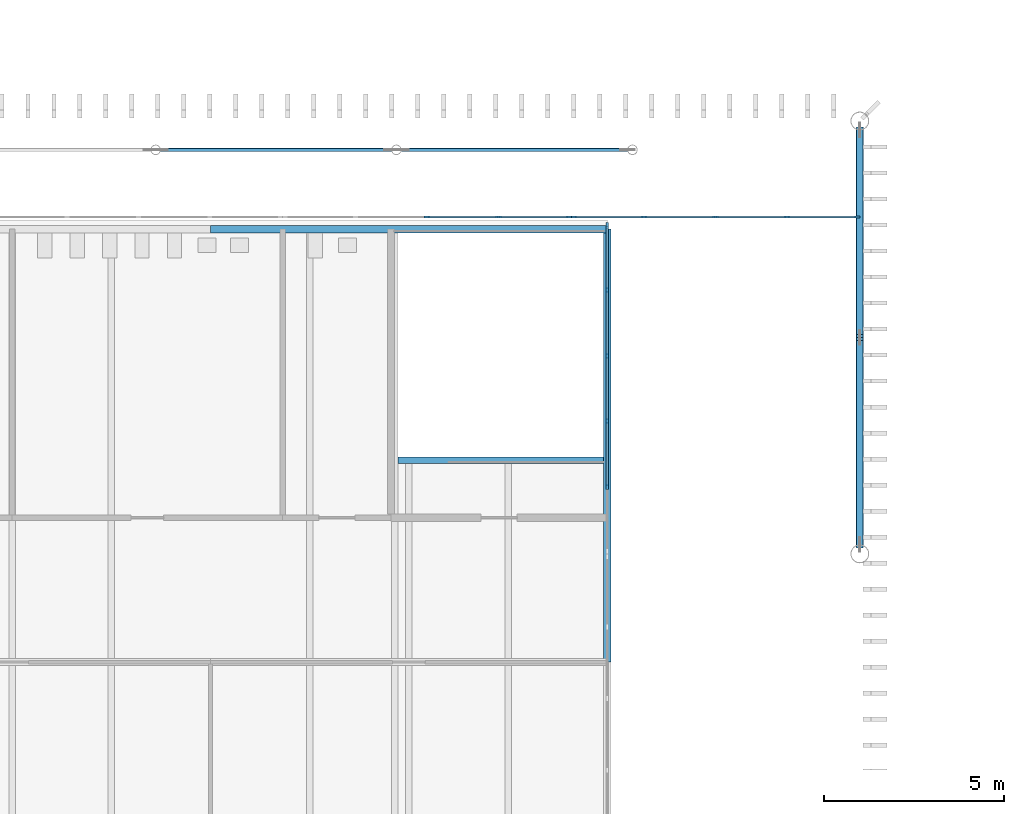
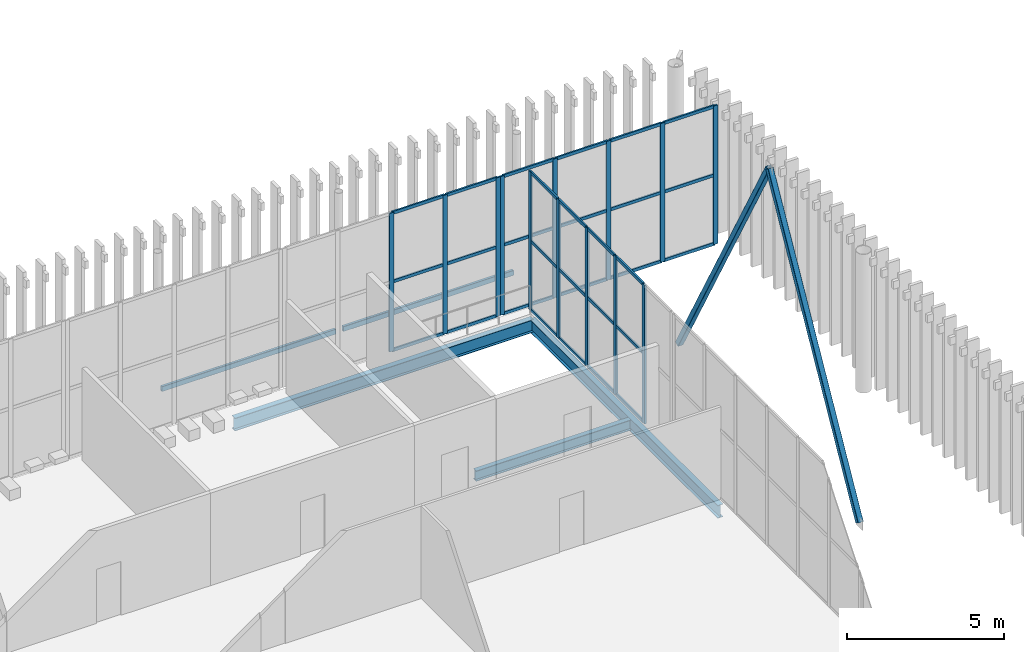
# One storey, part 75 of 170: 47 members, 3 beams, 3 elements without a shape of their own.
"""IFC4 building model written with IfcOpenShell, lengths in metres."""

from ifc_helpers import new_model, si_unit, direction, frame, origin, origin_2d, place, context, subcontext, project, spatial, rectangle, hollow_rectangle, i_section, extrude, material, layer, layer_set, material_profile, profile_set, type_object, element, aggregate, save


model = new_model("IFC4")

# Units and contexts
model_context = context("Model", 3, precision=1e-05, world=origin(), true_north=direction((0.0, 1.0)))
body_context = subcontext(model_context, "Body", "Model", "MODEL_VIEW")
ifc_project = project(units=[si_unit("LENGTHUNIT", "METRE"), si_unit("AREAUNIT", "SQUARE_METRE"), si_unit("VOLUMEUNIT", "CUBIC_METRE"), si_unit("PLANEANGLEUNIT", "RADIAN"), si_unit("MASSUNIT", "GRAM", prefix="KILO")], contexts=[model_context])

# Site, building, storey
site_placement = place(None, origin())
site = spatial("IfcSite", under=ifc_project, at=site_placement, CompositionType="ELEMENT")
building_placement = place(site_placement, origin())
building = spatial("IfcBuilding", under=site, at=building_placement, Name="Ravi Spectrum Wholesale Market", CompositionType="ELEMENT")
storey_placement = place(building_placement, frame((0.0, 0.0, 5.39990234375)))
storey = spatial("IfcBuildingStorey", under=building, at=storey_placement, Name="L01", CompositionType="ELEMENT", Elevation=5.39990234375)

# Beams
ifc_material_1 = material(Name="Steel S355", Category="steel")
ifc_material_profile_1 = material_profile(ifc_material_1, i_section(OverallWidth=0.179931640625, OverallDepth=0.39990234375, WebThickness=0.008544921875, FlangeThickness=0.013427734375, at=origin_2d()))
ifc_profile_set_1 = profile_set([ifc_material_profile_1], Name="Steel S355")
beam_type_1 = type_object("IfcBeamType", Name="IPE 400 beam", PredefinedType="BEAM", material=ifc_profile_set_1)
beam_1_placement = place(storey_placement, frame((97.18994140625, 188.60009765625, -0.449951171875), z_axis=(1.0, 0.0, 0.0), x_axis=(0.0, 1.0, 0.0)))
element("IfcBeam", 1, at=beam_1_placement, inside=storey, type_object=beam_type_1, Name="H1-BM-L01-073", PredefinedType="BEAM", context=body_context, shape_type="SweptSolid", body=[
    extrude(i_section(OverallWidth=0.179931640625, OverallDepth=0.39990234375, WebThickness=0.008544921875, FlangeThickness=0.013427734375, at=origin_2d()), origin(), (0.0, 0.0, 1.0), 5.7099609375),
])
ifc_material_2 = material(Name="Steel S355", Category="steel")
ifc_material_profile_2 = material_profile(ifc_material_2, i_section(OverallWidth=0.199951171875, OverallDepth=0.5, WebThickness=0.01025390625, FlangeThickness=0.01611328125, at=origin_2d()))
ifc_profile_set_2 = profile_set([ifc_material_profile_2], Name="Steel S355")
beam_type_2 = type_object("IfcBeamType", Name="IPE 500 girder", PredefinedType="BEAM", material=ifc_profile_set_2)
beam_2_placement = place(storey_placement, frame((92.0, 195.0, -0.5), z_axis=(1.0, 0.0, 0.0), x_axis=(0.0, 1.0, 0.0)))
element("IfcBeam", 2, at=beam_2_placement, inside=storey, type_object=beam_type_2, Name="H1-BM-L01-018", PredefinedType="BEAM", context=body_context, shape_type="SweptSolid", body=[
    extrude(i_section(OverallWidth=0.199951171875, OverallDepth=0.5, WebThickness=0.01025390625, FlangeThickness=0.01611328125, at=origin_2d()), origin(), (0.0, 0.0, 1.0), 11.0),
])
beam_3_placement = place(storey_placement, frame((103.0, 183.0, -0.5), z_axis=(0.0, 1.0, 0.0), x_axis=(-1.0, 0.0, 0.0)))
element("IfcBeam", 3, at=beam_3_placement, inside=storey, type_object=beam_type_2, Name="H1-BM-L01-022", PredefinedType="BEAM", context=body_context, shape_type="SweptSolid", body=[
    extrude(i_section(OverallWidth=0.199951171875, OverallDepth=0.5, WebThickness=0.01025390625, FlangeThickness=0.01611328125, at=origin_2d()), origin(), (0.0, 0.0, 1.0), 12.0),
])

# Curtain wall, members
ifc_material_3 = material(Name="Aluminium 6063-T6", Category="aluminium")
ifc_layer = layer(ifc_material_3, 0.14990234375)
ifc_layer_set = layer_set([ifc_layer], Name="Aluminium 6063-T6")
curtain_wall_type = type_object("IfcCurtainWallType", Name="Curtain wall 150", PredefinedType="NOTDEFINED", material=ifc_layer_set)
curtain_wall_1_placement = place(storey_placement, origin())
curtain_wall_1 = element("IfcCurtainWall", 4, at=curtain_wall_1_placement, inside=storey, type_object=curtain_wall_type, Name="H1-CW-L01-028", PredefinedType="NOTDEFINED")
ifc_material_4 = material(Name="Aluminium 6063-T6", Category="aluminium")
ifc_material_profile_3 = material_profile(ifc_material_4, rectangle(XDim=0.06005859375, YDim=0.159912109375, at=origin_2d()))
ifc_profile_set_3 = profile_set([ifc_material_profile_3], Name="Aluminium 6063-T6")
member_type_1 = type_object("IfcMemberType", Name="Mullion 60 x 160", PredefinedType="MULLION", material=ifc_profile_set_3)
member_1_placement = place(storey_placement, frame((103.0, 187.85791015625, 0.0), z_axis=(0.0, 0.0, 1.0), x_axis=(-1.0, 0.0, 0.0)))
member_1 = element("IfcMember", 5, at=member_1_placement, type_object=member_type_1, Name="H1-CW-L01-028 mullion 2", PredefinedType="MULLION", context=body_context, shape_type="SweptSolid", body=[
    extrude(rectangle(XDim=0.06005859375, YDim=0.159912109375, at=origin_2d()), origin(), (0.0, 0.0, 1.0), 5.400146484375),
])
member_2_placement = place(storey_placement, frame((103.0, 189.676025390625, 0.0), z_axis=(0.0, 0.0, 1.0), x_axis=(-1.0, 0.0, 0.0)))
member_2 = element("IfcMember", 6, at=member_2_placement, type_object=member_type_1, Name="H1-CW-L01-028 mullion 3", PredefinedType="MULLION", context=body_context, shape_type="SweptSolid", body=[
    extrude(rectangle(XDim=0.06005859375, YDim=0.159912109375, at=origin_2d()), origin(), (0.0, 0.0, 1.0), 5.400146484375),
])
member_3_placement = place(storey_placement, frame((103.0, 191.493896484375, 0.0), z_axis=(0.0, 0.0, 1.0), x_axis=(-1.0, 0.0, 0.0)))
member_3 = element("IfcMember", 7, at=member_3_placement, type_object=member_type_1, Name="H1-CW-L01-028 mullion 4", PredefinedType="MULLION", context=body_context, shape_type="SweptSolid", body=[
    extrude(rectangle(XDim=0.06005859375, YDim=0.159912109375, at=origin_2d()), origin(), (0.0, 0.0, 1.0), 5.400146484375),
])
member_4_placement = place(storey_placement, frame((103.0, 193.31201171875, 0.0), z_axis=(0.0, 0.0, 1.0), x_axis=(-1.0, 0.0, 0.0)))
member_4 = element("IfcMember", 8, at=member_4_placement, type_object=member_type_1, Name="H1-CW-L01-028 mullion 5", PredefinedType="MULLION", context=body_context, shape_type="SweptSolid", body=[
    extrude(rectangle(XDim=0.06005859375, YDim=0.159912109375, at=origin_2d()), origin(), (0.0, 0.0, 1.0), 5.400146484375),
])
member_5_placement = place(storey_placement, frame((103.0, 195.10009765625, 0.0), z_axis=(0.0, 0.0, 1.0), x_axis=(-1.0, 0.0, 0.0)))
member_5 = element("IfcMember", 9, at=member_5_placement, type_object=member_type_1, Name="H1-CW-L01-028 mullion 6", PredefinedType="MULLION", context=body_context, shape_type="SweptSolid", body=[
    extrude(rectangle(XDim=0.06005859375, YDim=0.159912109375, at=origin_2d()), origin(), (0.0, 0.0, 1.0), 5.400146484375),
])

curtain_wall_2_placement = place(storey_placement, origin())
curtain_wall_2 = element("IfcCurtainWall", 10, at=curtain_wall_2_placement, inside=storey, type_object=curtain_wall_type, Name="H1-CW-L01-061", PredefinedType="NOTDEFINED")
member_6_placement = place(storey_placement, frame((98.0, 195.340087890625, 0.0), z_axis=(0.0, 0.0, 1.0), x_axis=(0.0, 1.0, 0.0)))
member_6 = element("IfcMember", 11, at=member_6_placement, type_object=member_type_1, Name="H1-CW-L01-061 mullion 3", PredefinedType="MULLION", context=body_context, shape_type="SweptSolid", body=[
    extrude(rectangle(XDim=0.06005859375, YDim=0.159912109375, at=origin_2d()), origin(), (0.0, 0.0, 1.0), 5.400146484375),
])
member_7_placement = place(storey_placement, frame((99.97998046875, 195.340087890625, 0.0), z_axis=(0.0, 0.0, 1.0), x_axis=(0.0, 1.0, 0.0)))
member_7 = element("IfcMember", 12, at=member_7_placement, type_object=member_type_1, Name="H1-CW-L01-061 mullion 4", PredefinedType="MULLION", context=body_context, shape_type="SweptSolid", body=[
    extrude(rectangle(XDim=0.06005859375, YDim=0.159912109375, at=origin_2d()), origin(), (0.0, 0.0, 1.0), 5.400146484375),
])
member_8_placement = place(storey_placement, frame((101.929931640625, 195.340087890625, 0.0), z_axis=(0.0, 0.0, 1.0), x_axis=(0.0, 1.0, 0.0)))
member_8 = element("IfcMember", 13, at=member_8_placement, type_object=member_type_1, Name="H1-CW-L01-061 mullion 5", PredefinedType="MULLION", context=body_context, shape_type="SweptSolid", body=[
    extrude(rectangle(XDim=0.06005859375, YDim=0.159912109375, at=origin_2d()), origin(), (0.0, 0.0, 1.0), 5.400146484375),
])

curtain_wall_3_placement = place(storey_placement, origin())
curtain_wall_3 = element("IfcCurtainWall", 14, at=curtain_wall_3_placement, inside=storey, type_object=curtain_wall_type, Name="H1-CW-L01-062", PredefinedType="NOTDEFINED")
member_9_placement = place(storey_placement, frame((102.070068359375, 195.340087890625, 0.0), z_axis=(0.0, 0.0, 1.0), x_axis=(0.0, 1.0, 0.0)))
member_9 = element("IfcMember", 15, at=member_9_placement, type_object=member_type_1, Name="H1-CW-L01-062 mullion 1", PredefinedType="MULLION", context=body_context, shape_type="SweptSolid", body=[
    extrude(rectangle(XDim=0.06005859375, YDim=0.159912109375, at=origin_2d()), origin(), (0.0, 0.0, 1.0), 5.400146484375),
])
member_10_placement = place(storey_placement, frame((104.02001953125, 195.340087890625, 0.0), z_axis=(0.0, 0.0, 1.0), x_axis=(0.0, 1.0, 0.0)))
member_10 = element("IfcMember", 16, at=member_10_placement, type_object=member_type_1, Name="H1-CW-L01-062 mullion 2", PredefinedType="MULLION", context=body_context, shape_type="SweptSolid", body=[
    extrude(rectangle(XDim=0.06005859375, YDim=0.159912109375, at=origin_2d()), origin(), (0.0, 0.0, 1.0), 5.400146484375),
])
member_11_placement = place(storey_placement, frame((106.0, 195.340087890625, 0.0), z_axis=(0.0, 0.0, 1.0), x_axis=(0.0, 1.0, 0.0)))
member_11 = element("IfcMember", 17, at=member_11_placement, type_object=member_type_1, Name="H1-CW-L01-062 mullion 3", PredefinedType="MULLION", context=body_context, shape_type="SweptSolid", body=[
    extrude(rectangle(XDim=0.06005859375, YDim=0.159912109375, at=origin_2d()), origin(), (0.0, 0.0, 1.0), 5.400146484375),
])
member_12_placement = place(storey_placement, frame((107.97998046875, 195.340087890625, 0.0), z_axis=(0.0, 0.0, 1.0), x_axis=(0.0, 1.0, 0.0)))
member_12 = element("IfcMember", 18, at=member_12_placement, type_object=member_type_1, Name="H1-CW-L01-062 mullion 4", PredefinedType="MULLION", context=body_context, shape_type="SweptSolid", body=[
    extrude(rectangle(XDim=0.06005859375, YDim=0.159912109375, at=origin_2d()), origin(), (0.0, 0.0, 1.0), 5.400146484375),
])
member_13_placement = place(storey_placement, frame((109.929931640625, 195.340087890625, 0.0), z_axis=(0.0, 0.0, 1.0), x_axis=(0.0, 1.0, 0.0)))
member_13 = element("IfcMember", 19, at=member_13_placement, type_object=member_type_1, Name="H1-CW-L01-062 mullion 5", PredefinedType="MULLION", context=body_context, shape_type="SweptSolid", body=[
    extrude(rectangle(XDim=0.06005859375, YDim=0.159912109375, at=origin_2d()), origin(), (0.0, 0.0, 1.0), 5.400146484375),
])

# Members
ifc_material_5 = material(Name="Steel S355", Category="steel")
ifc_material_profile_4 = material_profile(ifc_material_5, hollow_rectangle(XDim=0.10009765625, YDim=0.199951171875, WallThickness=0.00634765625, InnerFilletRadius=0.00634765625, OuterFilletRadius=0.0126953125, at=origin_2d()))
ifc_profile_set_4 = profile_set([ifc_material_profile_4], Name="Steel S355")
member_type_2 = type_object("IfcMemberType", Name="RHS 200x100x6.3 strut", PredefinedType="STRUT", material=ifc_profile_set_4)
member_14_placement = place(storey_placement, frame((90.614501953125, 197.199951171875, 0.0), z_axis=(1.0, 0.0, 0.0), x_axis=(0.0, 1.0, 0.0)))
element("IfcMember", 20, at=member_14_placement, inside=storey, type_object=member_type_2, Name="H1-MB-L01-033", PredefinedType="STRUT", context=body_context, shape_type="SweptSolid", body=[
    extrude(hollow_rectangle(XDim=0.10009765625, YDim=0.199951171875, WallThickness=0.00634765625, InnerFilletRadius=0.00634765625, OuterFilletRadius=0.0126953125, at=origin_2d()), origin(), (0.0, 0.0, 1.0), 6.401123046875),
])
member_15_placement = place(storey_placement, frame((97.28857421875, 197.199951171875, 0.0), z_axis=(1.0, 0.0, 0.0), x_axis=(0.0, 1.0, 0.0)))
element("IfcMember", 21, at=member_15_placement, inside=storey, type_object=member_type_2, Name="H1-MB-L01-034", PredefinedType="STRUT", context=body_context, shape_type="SweptSolid", body=[
    extrude(hollow_rectangle(XDim=0.10009765625, YDim=0.199951171875, WallThickness=0.00634765625, InnerFilletRadius=0.00634765625, OuterFilletRadius=0.0126953125, at=origin_2d()), origin(), (0.0, 0.0, 1.0), 6.27197265625),
])
ifc_material_6 = material(Name="Steel S355", Category="steel")
ifc_material_profile_5 = material_profile(ifc_material_6, hollow_rectangle(XDim=0.199951171875, YDim=0.199951171875, WallThickness=0.008056640625, InnerFilletRadius=0.008056640625, OuterFilletRadius=0.01611328125, at=origin_2d()))
ifc_profile_set_5 = profile_set([ifc_material_profile_5], Name="Steel S355")
member_type_3 = type_object("IfcMemberType", Name="SHS 200x200x8 brace", PredefinedType="BRACE", material=ifc_profile_set_5)
for number, where, z_axis, x_axis, name in (
    (22, (110.0, 186.25390625, -5.350830078125), (0.0, 0.487151805571, 0.873317306784), (-1.0, 0.0, 0.0), "H1-MB-L01-023"),
    (23, (110.0, 197.74609375, -5.350830078125), (0.0, -0.487151805571, 0.873317306784), (1.0, 0.0, 0.0), "H1-MB-L01-024"),
):
    element("IfcMember", number, at=place(storey_placement, frame(where, z_axis=z_axis, x_axis=x_axis)), inside=storey, type_object=member_type_3, Name=name, PredefinedType="BRACE", context=body_context, shape_type="SweptSolid", body=[
        extrude(hollow_rectangle(XDim=0.199951171875, YDim=0.199951171875, WallThickness=0.008056640625, InnerFilletRadius=0.008056640625, OuterFilletRadius=0.01611328125, at=origin_2d()), origin(), (0.0, 0.0, 1.0), 11.795166015625),
    ])

# Member
ifc_material_7 = material(Name="Aluminium 6063-T6", Category="aluminium")
ifc_material_profile_6 = material_profile(ifc_material_7, rectangle(XDim=0.06005859375, YDim=0.1201171875, at=origin_2d()))
ifc_profile_set_6 = profile_set([ifc_material_profile_6], Name="Aluminium 6063-T6")
member_type_4 = type_object("IfcMemberType", Name="Transom 60 x 120", PredefinedType="USERDEFINED", material=ifc_profile_set_6)
member_16_placement = place(storey_placement, frame((103.0, 187.887939453125, 0.030029296875), z_axis=(0.0, 1.0, 0.0), x_axis=(-1.0, 0.0, 0.0)))
member_16 = element("IfcMember", 24, at=member_16_placement, type_object=member_type_4, Name="H1-CW-L01-028 transom 2.1", ObjectType="TRANSOM", PredefinedType="USERDEFINED", context=body_context, shape_type="SweptSolid", body=[
    extrude(rectangle(XDim=0.06005859375, YDim=0.1201171875, at=origin_2d()), origin(), (0.0, 0.0, 1.0), 1.758056640625),
])

member_17_placement = place(storey_placement, frame((103.0, 187.887939453125, 2.7001953125), z_axis=(0.0, 1.0, 0.0), x_axis=(-1.0, 0.0, 0.0)))
member_17 = element("IfcMember", 25, at=member_17_placement, type_object=member_type_4, Name="H1-CW-L01-028 transom 2.2", ObjectType="TRANSOM", PredefinedType="USERDEFINED", context=body_context, shape_type="SweptSolid", body=[
    extrude(rectangle(XDim=0.06005859375, YDim=0.1201171875, at=origin_2d()), origin(), (0.0, 0.0, 1.0), 1.758056640625),
])

member_18_placement = place(storey_placement, frame((103.0, 187.887939453125, 5.3701171875), z_axis=(0.0, 1.0, 0.0), x_axis=(-1.0, 0.0, 0.0)))
member_18 = element("IfcMember", 26, at=member_18_placement, type_object=member_type_4, Name="H1-CW-L01-028 transom 2.3", ObjectType="TRANSOM", PredefinedType="USERDEFINED", context=body_context, shape_type="SweptSolid", body=[
    extrude(rectangle(XDim=0.06005859375, YDim=0.1201171875, at=origin_2d()), origin(), (0.0, 0.0, 1.0), 1.758056640625),
])

member_19_placement = place(storey_placement, frame((103.0, 189.7060546875, 0.030029296875), z_axis=(0.0, 1.0, 0.0), x_axis=(-1.0, 0.0, 0.0)))
member_19 = element("IfcMember", 27, at=member_19_placement, type_object=member_type_4, Name="H1-CW-L01-028 transom 3.1", ObjectType="TRANSOM", PredefinedType="USERDEFINED", context=body_context, shape_type="SweptSolid", body=[
    extrude(rectangle(XDim=0.06005859375, YDim=0.1201171875, at=origin_2d()), origin(), (0.0, 0.0, 1.0), 1.758056640625),
])

member_20_placement = place(storey_placement, frame((103.0, 189.7060546875, 2.7001953125), z_axis=(0.0, 1.0, 0.0), x_axis=(-1.0, 0.0, 0.0)))
member_20 = element("IfcMember", 28, at=member_20_placement, type_object=member_type_4, Name="H1-CW-L01-028 transom 3.2", ObjectType="TRANSOM", PredefinedType="USERDEFINED", context=body_context, shape_type="SweptSolid", body=[
    extrude(rectangle(XDim=0.06005859375, YDim=0.1201171875, at=origin_2d()), origin(), (0.0, 0.0, 1.0), 1.758056640625),
])

member_21_placement = place(storey_placement, frame((103.0, 189.7060546875, 5.3701171875), z_axis=(0.0, 1.0, 0.0), x_axis=(-1.0, 0.0, 0.0)))
member_21 = element("IfcMember", 29, at=member_21_placement, type_object=member_type_4, Name="H1-CW-L01-028 transom 3.3", ObjectType="TRANSOM", PredefinedType="USERDEFINED", context=body_context, shape_type="SweptSolid", body=[
    extrude(rectangle(XDim=0.06005859375, YDim=0.1201171875, at=origin_2d()), origin(), (0.0, 0.0, 1.0), 1.758056640625),
])

member_22_placement = place(storey_placement, frame((103.0, 191.52392578125, 0.030029296875), z_axis=(0.0, 1.0, 0.0), x_axis=(-1.0, 0.0, 0.0)))
member_22 = element("IfcMember", 30, at=member_22_placement, type_object=member_type_4, Name="H1-CW-L01-028 transom 4.1", ObjectType="TRANSOM", PredefinedType="USERDEFINED", context=body_context, shape_type="SweptSolid", body=[
    extrude(rectangle(XDim=0.06005859375, YDim=0.1201171875, at=origin_2d()), origin(), (0.0, 0.0, 1.0), 1.758056640625),
])

member_23_placement = place(storey_placement, frame((103.0, 191.52392578125, 2.7001953125), z_axis=(0.0, 1.0, 0.0), x_axis=(-1.0, 0.0, 0.0)))
member_23 = element("IfcMember", 31, at=member_23_placement, type_object=member_type_4, Name="H1-CW-L01-028 transom 4.2", ObjectType="TRANSOM", PredefinedType="USERDEFINED", context=body_context, shape_type="SweptSolid", body=[
    extrude(rectangle(XDim=0.06005859375, YDim=0.1201171875, at=origin_2d()), origin(), (0.0, 0.0, 1.0), 1.758056640625),
])

member_24_placement = place(storey_placement, frame((103.0, 191.52392578125, 5.3701171875), z_axis=(0.0, 1.0, 0.0), x_axis=(-1.0, 0.0, 0.0)))
member_24 = element("IfcMember", 32, at=member_24_placement, type_object=member_type_4, Name="H1-CW-L01-028 transom 4.3", ObjectType="TRANSOM", PredefinedType="USERDEFINED", context=body_context, shape_type="SweptSolid", body=[
    extrude(rectangle(XDim=0.06005859375, YDim=0.1201171875, at=origin_2d()), origin(), (0.0, 0.0, 1.0), 1.758056640625),
])

member_25_placement = place(storey_placement, frame((103.0, 193.342041015625, 0.030029296875), z_axis=(0.0, 1.0, 0.0), x_axis=(-1.0, 0.0, 0.0)))
member_25 = element("IfcMember", 33, at=member_25_placement, type_object=member_type_4, Name="H1-CW-L01-028 transom 5.1", ObjectType="TRANSOM", PredefinedType="USERDEFINED", context=body_context, shape_type="SweptSolid", body=[
    extrude(rectangle(XDim=0.06005859375, YDim=0.1201171875, at=origin_2d()), origin(), (0.0, 0.0, 1.0), 1.72802734375),
])

member_26_placement = place(storey_placement, frame((103.0, 193.342041015625, 2.7001953125), z_axis=(0.0, 1.0, 0.0), x_axis=(-1.0, 0.0, 0.0)))
member_26 = element("IfcMember", 34, at=member_26_placement, type_object=member_type_4, Name="H1-CW-L01-028 transom 5.2", ObjectType="TRANSOM", PredefinedType="USERDEFINED", context=body_context, shape_type="SweptSolid", body=[
    extrude(rectangle(XDim=0.06005859375, YDim=0.1201171875, at=origin_2d()), origin(), (0.0, 0.0, 1.0), 1.72802734375),
])

member_27_placement = place(storey_placement, frame((103.0, 193.342041015625, 5.3701171875), z_axis=(0.0, 1.0, 0.0), x_axis=(-1.0, 0.0, 0.0)))
member_27 = element("IfcMember", 35, at=member_27_placement, type_object=member_type_4, Name="H1-CW-L01-028 transom 5.3", ObjectType="TRANSOM", PredefinedType="USERDEFINED", context=body_context, shape_type="SweptSolid", body=[
    extrude(rectangle(XDim=0.06005859375, YDim=0.1201171875, at=origin_2d()), origin(), (0.0, 0.0, 1.0), 1.72802734375),
])

aggregate(curtain_wall_1, [member_1, member_2, member_3, member_4, member_5, member_16, member_17, member_18, member_19, member_20, member_21, member_22, member_23, member_24, member_25, member_26, member_27])

member_28_placement = place(storey_placement, frame((98.030029296875, 195.340087890625, 0.030029296875), z_axis=(1.0, 0.0, 0.0), x_axis=(0.0, 1.0, 0.0)))
member_28 = element("IfcMember", 36, at=member_28_placement, type_object=member_type_4, Name="H1-CW-L01-061 transom 3.1", ObjectType="TRANSOM", PredefinedType="USERDEFINED", context=body_context, shape_type="SweptSolid", body=[
    extrude(rectangle(XDim=0.06005859375, YDim=0.1201171875, at=origin_2d()), origin(), (0.0, 0.0, 1.0), 1.919921875),
])

member_29_placement = place(storey_placement, frame((98.030029296875, 195.340087890625, 2.7001953125), z_axis=(1.0, 0.0, 0.0), x_axis=(0.0, 1.0, 0.0)))
member_29 = element("IfcMember", 37, at=member_29_placement, type_object=member_type_4, Name="H1-CW-L01-061 transom 3.2", ObjectType="TRANSOM", PredefinedType="USERDEFINED", context=body_context, shape_type="SweptSolid", body=[
    extrude(rectangle(XDim=0.06005859375, YDim=0.1201171875, at=origin_2d()), origin(), (0.0, 0.0, 1.0), 1.919921875),
])

member_30_placement = place(storey_placement, frame((98.030029296875, 195.340087890625, 5.3701171875), z_axis=(1.0, 0.0, 0.0), x_axis=(0.0, 1.0, 0.0)))
member_30 = element("IfcMember", 38, at=member_30_placement, type_object=member_type_4, Name="H1-CW-L01-061 transom 3.3", ObjectType="TRANSOM", PredefinedType="USERDEFINED", context=body_context, shape_type="SweptSolid", body=[
    extrude(rectangle(XDim=0.06005859375, YDim=0.1201171875, at=origin_2d()), origin(), (0.0, 0.0, 1.0), 1.919921875),
])

member_31_placement = place(storey_placement, frame((100.010009765625, 195.340087890625, 0.030029296875), z_axis=(1.0, 0.0, 0.0), x_axis=(0.0, 1.0, 0.0)))
member_31 = element("IfcMember", 39, at=member_31_placement, type_object=member_type_4, Name="H1-CW-L01-061 transom 4.1", ObjectType="TRANSOM", PredefinedType="USERDEFINED", context=body_context, shape_type="SweptSolid", body=[
    extrude(rectangle(XDim=0.06005859375, YDim=0.1201171875, at=origin_2d()), origin(), (0.0, 0.0, 1.0), 1.889892578125),
])

member_32_placement = place(storey_placement, frame((100.010009765625, 195.340087890625, 2.7001953125), z_axis=(1.0, 0.0, 0.0), x_axis=(0.0, 1.0, 0.0)))
member_32 = element("IfcMember", 40, at=member_32_placement, type_object=member_type_4, Name="H1-CW-L01-061 transom 4.2", ObjectType="TRANSOM", PredefinedType="USERDEFINED", context=body_context, shape_type="SweptSolid", body=[
    extrude(rectangle(XDim=0.06005859375, YDim=0.1201171875, at=origin_2d()), origin(), (0.0, 0.0, 1.0), 1.889892578125),
])

member_33_placement = place(storey_placement, frame((100.010009765625, 195.340087890625, 5.3701171875), z_axis=(1.0, 0.0, 0.0), x_axis=(0.0, 1.0, 0.0)))
member_33 = element("IfcMember", 41, at=member_33_placement, type_object=member_type_4, Name="H1-CW-L01-061 transom 4.3", ObjectType="TRANSOM", PredefinedType="USERDEFINED", context=body_context, shape_type="SweptSolid", body=[
    extrude(rectangle(XDim=0.06005859375, YDim=0.1201171875, at=origin_2d()), origin(), (0.0, 0.0, 1.0), 1.889892578125),
])

aggregate(curtain_wall_2, [member_6, member_7, member_8, member_28, member_29, member_30, member_31, member_32, member_33])

member_34_placement = place(storey_placement, frame((102.10009765625, 195.340087890625, 0.030029296875), z_axis=(1.0, 0.0, 0.0), x_axis=(0.0, 1.0, 0.0)))
member_34 = element("IfcMember", 42, at=member_34_placement, type_object=member_type_4, Name="H1-CW-L01-062 transom 1.1", ObjectType="TRANSOM", PredefinedType="USERDEFINED", context=body_context, shape_type="SweptSolid", body=[
    extrude(rectangle(XDim=0.06005859375, YDim=0.1201171875, at=origin_2d()), origin(), (0.0, 0.0, 1.0), 1.889892578125),
])

member_35_placement = place(storey_placement, frame((102.10009765625, 195.340087890625, 2.7001953125), z_axis=(1.0, 0.0, 0.0), x_axis=(0.0, 1.0, 0.0)))
member_35 = element("IfcMember", 43, at=member_35_placement, type_object=member_type_4, Name="H1-CW-L01-062 transom 1.2", ObjectType="TRANSOM", PredefinedType="USERDEFINED", context=body_context, shape_type="SweptSolid", body=[
    extrude(rectangle(XDim=0.06005859375, YDim=0.1201171875, at=origin_2d()), origin(), (0.0, 0.0, 1.0), 1.889892578125),
])

member_36_placement = place(storey_placement, frame((102.10009765625, 195.340087890625, 5.3701171875), z_axis=(1.0, 0.0, 0.0), x_axis=(0.0, 1.0, 0.0)))
member_36 = element("IfcMember", 44, at=member_36_placement, type_object=member_type_4, Name="H1-CW-L01-062 transom 1.3", ObjectType="TRANSOM", PredefinedType="USERDEFINED", context=body_context, shape_type="SweptSolid", body=[
    extrude(rectangle(XDim=0.06005859375, YDim=0.1201171875, at=origin_2d()), origin(), (0.0, 0.0, 1.0), 1.889892578125),
])

member_37_placement = place(storey_placement, frame((104.050048828125, 195.340087890625, 0.030029296875), z_axis=(1.0, 0.0, 0.0), x_axis=(0.0, 1.0, 0.0)))
member_37 = element("IfcMember", 45, at=member_37_placement, type_object=member_type_4, Name="H1-CW-L01-062 transom 2.1", ObjectType="TRANSOM", PredefinedType="USERDEFINED", context=body_context, shape_type="SweptSolid", body=[
    extrude(rectangle(XDim=0.06005859375, YDim=0.1201171875, at=origin_2d()), origin(), (0.0, 0.0, 1.0), 1.919921875),
])

member_38_placement = place(storey_placement, frame((104.050048828125, 195.340087890625, 2.7001953125), z_axis=(1.0, 0.0, 0.0), x_axis=(0.0, 1.0, 0.0)))
member_38 = element("IfcMember", 46, at=member_38_placement, type_object=member_type_4, Name="H1-CW-L01-062 transom 2.2", ObjectType="TRANSOM", PredefinedType="USERDEFINED", context=body_context, shape_type="SweptSolid", body=[
    extrude(rectangle(XDim=0.06005859375, YDim=0.1201171875, at=origin_2d()), origin(), (0.0, 0.0, 1.0), 1.919921875),
])

member_39_placement = place(storey_placement, frame((104.050048828125, 195.340087890625, 5.3701171875), z_axis=(1.0, 0.0, 0.0), x_axis=(0.0, 1.0, 0.0)))
member_39 = element("IfcMember", 47, at=member_39_placement, type_object=member_type_4, Name="H1-CW-L01-062 transom 2.3", ObjectType="TRANSOM", PredefinedType="USERDEFINED", context=body_context, shape_type="SweptSolid", body=[
    extrude(rectangle(XDim=0.06005859375, YDim=0.1201171875, at=origin_2d()), origin(), (0.0, 0.0, 1.0), 1.919921875),
])

member_40_placement = place(storey_placement, frame((106.030029296875, 195.340087890625, 0.030029296875), z_axis=(1.0, 0.0, 0.0), x_axis=(0.0, 1.0, 0.0)))
member_40 = element("IfcMember", 48, at=member_40_placement, type_object=member_type_4, Name="H1-CW-L01-062 transom 3.1", ObjectType="TRANSOM", PredefinedType="USERDEFINED", context=body_context, shape_type="SweptSolid", body=[
    extrude(rectangle(XDim=0.06005859375, YDim=0.1201171875, at=origin_2d()), origin(), (0.0, 0.0, 1.0), 1.919921875),
])

member_41_placement = place(storey_placement, frame((106.030029296875, 195.340087890625, 2.7001953125), z_axis=(1.0, 0.0, 0.0), x_axis=(0.0, 1.0, 0.0)))
member_41 = element("IfcMember", 49, at=member_41_placement, type_object=member_type_4, Name="H1-CW-L01-062 transom 3.2", ObjectType="TRANSOM", PredefinedType="USERDEFINED", context=body_context, shape_type="SweptSolid", body=[
    extrude(rectangle(XDim=0.06005859375, YDim=0.1201171875, at=origin_2d()), origin(), (0.0, 0.0, 1.0), 1.919921875),
])

member_42_placement = place(storey_placement, frame((106.030029296875, 195.340087890625, 5.3701171875), z_axis=(1.0, 0.0, 0.0), x_axis=(0.0, 1.0, 0.0)))
member_42 = element("IfcMember", 50, at=member_42_placement, type_object=member_type_4, Name="H1-CW-L01-062 transom 3.3", ObjectType="TRANSOM", PredefinedType="USERDEFINED", context=body_context, shape_type="SweptSolid", body=[
    extrude(rectangle(XDim=0.06005859375, YDim=0.1201171875, at=origin_2d()), origin(), (0.0, 0.0, 1.0), 1.919921875),
])

member_43_placement = place(storey_placement, frame((108.010009765625, 195.340087890625, 0.030029296875), z_axis=(1.0, 0.0, 0.0), x_axis=(0.0, 1.0, 0.0)))
member_43 = element("IfcMember", 51, at=member_43_placement, type_object=member_type_4, Name="H1-CW-L01-062 transom 4.1", ObjectType="TRANSOM", PredefinedType="USERDEFINED", context=body_context, shape_type="SweptSolid", body=[
    extrude(rectangle(XDim=0.06005859375, YDim=0.1201171875, at=origin_2d()), origin(), (0.0, 0.0, 1.0), 1.889892578125),
])

member_44_placement = place(storey_placement, frame((108.010009765625, 195.340087890625, 2.7001953125), z_axis=(1.0, 0.0, 0.0), x_axis=(0.0, 1.0, 0.0)))
member_44 = element("IfcMember", 52, at=member_44_placement, type_object=member_type_4, Name="H1-CW-L01-062 transom 4.2", ObjectType="TRANSOM", PredefinedType="USERDEFINED", context=body_context, shape_type="SweptSolid", body=[
    extrude(rectangle(XDim=0.06005859375, YDim=0.1201171875, at=origin_2d()), origin(), (0.0, 0.0, 1.0), 1.889892578125),
])

member_45_placement = place(storey_placement, frame((108.010009765625, 195.340087890625, 5.3701171875), z_axis=(1.0, 0.0, 0.0), x_axis=(0.0, 1.0, 0.0)))
member_45 = element("IfcMember", 53, at=member_45_placement, type_object=member_type_4, Name="H1-CW-L01-062 transom 4.3", ObjectType="TRANSOM", PredefinedType="USERDEFINED", context=body_context, shape_type="SweptSolid", body=[
    extrude(rectangle(XDim=0.06005859375, YDim=0.1201171875, at=origin_2d()), origin(), (0.0, 0.0, 1.0), 1.889892578125),
])

aggregate(curtain_wall_3, [member_9, member_10, member_11, member_12, member_13, member_34, member_35, member_36, member_37, member_38, member_39, member_40, member_41, member_42, member_43, member_44, member_45])

save(model, "model.ifc")
